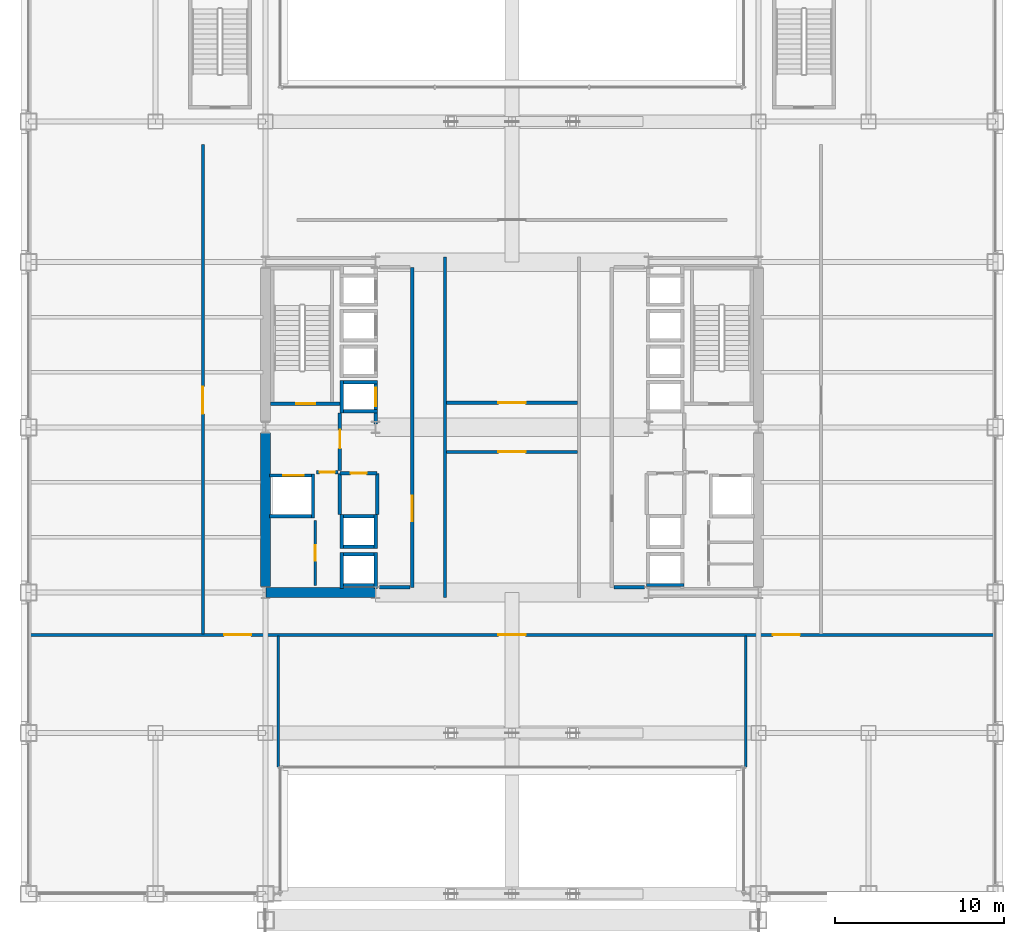
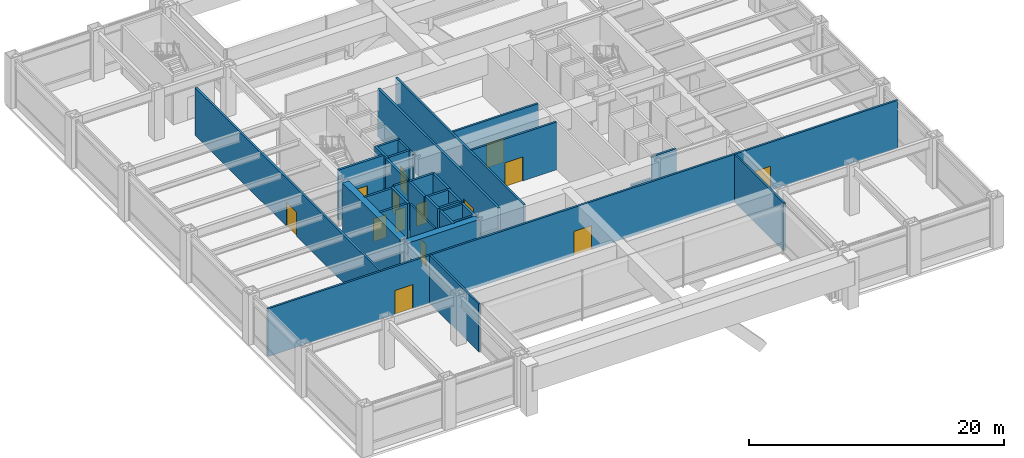
# One storey, part 33 of 37: 35 walls, 14 doors, 14 openings.
"""IFC4 building model written with IfcOpenShell, lengths in metres."""

from ifc_helpers import new_model, si_unit, direction, frame, frame_2d, origin, place, context, subcontext, project, spatial, rectangle, extrude, material, layer, layer_set, type_object, element, fill, save


model = new_model("IFC4")

# Units and contexts
model_context = context("Model", 3, precision=1e-05, world=origin(), true_north=direction((0.0, 1.0)))
body_context = subcontext(model_context, "Body", "Model", "MODEL_VIEW")
ifc_project = project(units=[si_unit("LENGTHUNIT", "METRE"), si_unit("AREAUNIT", "SQUARE_METRE"), si_unit("VOLUMEUNIT", "CUBIC_METRE"), si_unit("PLANEANGLEUNIT", "RADIAN"), si_unit("MASSUNIT", "GRAM", prefix="KILO")], contexts=[model_context])

# Site, building, storey
site_placement = place(None, origin())
site = spatial("IfcSite", under=ifc_project, at=site_placement, CompositionType="ELEMENT")
building_placement = place(site_placement, origin())
building = spatial("IfcBuilding", under=site, at=building_placement, Name="Brelmoor Portico Tower", CompositionType="ELEMENT")
storey_placement = place(building_placement, frame((0.0, 0.0, 14.39990234375)))
storey = spatial("IfcBuildingStorey", under=building, at=storey_placement, Name="L03", CompositionType="ELEMENT", Elevation=14.39990234375)

# Walls
ifc_material_1 = material(Name="Concrete C60", Category="concrete")
ifc_layer_1 = layer(ifc_material_1, 0.60009765625)
ifc_layer_set_1 = layer_set([ifc_layer_1], Name="Concrete C60")
wall_type_1 = type_object("IfcWallType", Name="WL-CORE-600", PredefinedType="SHEAR", material=ifc_layer_set_1)
wall_1_placement = place(storey_placement, frame((-14.530029296875, -9.75, -0.219970703125), z_axis=(0.0, 0.0, 1.0), x_axis=(1.0, 0.0, 0.0)))
element("IfcWall", 1, at=wall_1_placement, inside=storey, type_object=wall_type_1, Name="L03 WC South Shear Wall", PredefinedType="SHEAR", context=body_context, shape_type="SweptSolid", body=[
    extrude(rectangle(XDim=6.4599609375, YDim=0.60009765625, at=frame_2d((3.22998046875, 0.0))), origin(), (0.0, 0.0, 1.0), 4.800048828125),
])
wall_2_placement = place(storey_placement, frame((-14.550048828125, -9.39990234375, -0.219970703125), z_axis=(0.0, 0.0, 1.0), x_axis=(0.0, 1.0, 0.0)))
element("IfcWall", 2, at=wall_2_placement, inside=storey, type_object=wall_type_1, Name="L03 WC Outer South Shear Wall", PredefinedType="SHEAR", context=body_context, shape_type="SweptSolid", body=[
    extrude(rectangle(XDim=9.0498046875, YDim=0.60009765625, at=frame_2d((4.52490234375, 0.0))), origin(), (0.0, 0.0, 1.0), 4.800048828125),
])

# Wall, opening, door
ifc_material_2 = material(Name="Twin-Frame Acoustic Partition", Category="gypsum")
ifc_layer_2 = layer(ifc_material_2, 0.159912109375)
ifc_layer_set_2 = layer_set([ifc_layer_2], Name="Twin-Frame Acoustic Partition")
wall_type_2 = type_object("IfcWallType", Name="WL-PART-160", PredefinedType="PARTITIONING", material=ifc_layer_set_2)
wall_3_placement = place(storey_placement, frame((-11.6201171875, -9.35009765625, 0.0), z_axis=(0.0, 0.0, 1.0), x_axis=(0.0, 1.0, 0.0)))
wall_3 = element("IfcWall", 3, at=wall_3_placement, inside=storey, type_object=wall_type_2, Name="L03 W Core Service Front Wall", PredefinedType="PARTITIONING", context=body_context, shape_type="SweptSolid", body=[
    extrude(rectangle(XDim=3.85009765625, YDim=0.159912109375, at=frame_2d((1.925048828125, 0.0))), origin(), (0.0, 0.0, 1.0), 4.580078125),
])
opening_1_placement = place(wall_3_placement, frame((1.47509765625, 0.0, 0.0)))
opening_1 = element("IfcOpeningElement", 4, at=opening_1_placement, cuts=wall_3, Name="Opening D-IN1", PredefinedType="OPENING", context=body_context, shape_type="SweptSolid", body=[
    extrude(rectangle(XDim=0.89990234375, YDim=2.14990234375, at=frame_2d((0.449951171875, 1.074951171875))), frame((0.0, 0.08984375, 0.0), z_axis=(0.0, -1.0, 0.0), x_axis=(1.0, 0.0, 0.0)), (0.0, 0.0, 1.0), 0.179931640625),
])
ifc_material_3 = material(Name="Lacquered Timber Suite Door", Category="wood")
door_type_1 = type_object("IfcDoorType", Name="DR-INT-900", OperationType="NOTDEFINED", PredefinedType="DOOR", material=ifc_material_3)
door_1_placement = place(opening_1_placement, origin())
door_1 = element("IfcDoor", 5, at=door_1_placement, inside=storey, type_object=door_type_1, Name="D-0179 L03 W Accessible WC Door", OperationType="SINGLE_SWING_RIGHT", OverallHeight=2.14990234375, OverallWidth=0.89990234375, PredefinedType="DOOR", context=body_context, shape_type="SweptSolid", body=[
    extrude(rectangle(XDim=0.89990234375, YDim=2.14990234375, at=frame_2d((0.449951171875, 1.074951171875))), frame((0.0, 0.02490234375, 0.0), z_axis=(0.0, -1.0, 0.0), x_axis=(1.0, 0.0, 0.0)), (0.0, 0.0, 1.0), 0.050048828125),
])
fill(opening_1, door_1)

# Walls
for number, where, z_axis, x_axis, name in (
    (6, (-13.800048828125, -20.050048828125, 0.0), (0.0, 0.0, 1.0), (0.0, 1.0, 0.0), "L03 South Bridge Divider 1"),
    (7, (13.800048828125, -20.050048828125, 0.0), (0.0, 0.0, 1.0), (0.0, 1.0, 0.0), "L03 South Bridge Divider 2"),
):
    element("IfcWall", number, at=place(storey_placement, frame(where, z_axis=z_axis, x_axis=x_axis)), inside=storey, type_object=wall_type_2, Name=name, PredefinedType="PARTITIONING", context=body_context, shape_type="SweptSolid", body=[
        extrude(rectangle(XDim=7.72998046875, YDim=0.159912109375, at=frame_2d((3.864990234375, 0.0))), origin(), (0.0, 0.0, 1.0), 4.580078125),
    ])
ifc_material_4 = material(Name="Acoustic Corridor Fire Partition", Category="gypsum")
ifc_layer_3 = layer(ifc_material_4, 0.179931640625)
ifc_layer_set_3 = layer_set([ifc_layer_3], Name="Acoustic Corridor Fire Partition")
wall_type_3 = type_object("IfcWallType", Name="WL-PART-180", PredefinedType="PARTITIONING", material=ifc_layer_set_3)
wall_4_placement = place(storey_placement, frame((-3.949951171875, -10.050048828125, 0.0), z_axis=(0.0, 0.0, 1.0), x_axis=(0.0, 1.0, 0.0)))
element("IfcWall", 8, at=wall_4_placement, inside=storey, type_object=wall_type_3, Name="L03 Central Hall West Wall", PredefinedType="PARTITIONING", context=body_context, shape_type="SweptSolid", body=[
    extrude(rectangle(XDim=20.10009765625, YDim=0.179931640625, at=frame_2d((10.050048828125, 0.0))), origin(), (0.0, 0.0, 1.0), 4.580078125),
])

# Wall, opening, door
wall_5_placement = place(storey_placement, frame((-3.8798828125, 1.449951171875, 0.0), z_axis=(0.0, 0.0, 1.0), x_axis=(1.0, 0.0, 0.0)))
wall_5 = element("IfcWall", 9, at=wall_5_placement, inside=storey, type_object=wall_type_3, Name="L03 Bridge Auditorium Wall", PredefinedType="PARTITIONING", context=body_context, shape_type="SweptSolid", body=[
    extrude(rectangle(XDim=7.759765625, YDim=0.179931640625, at=frame_2d((3.8798828125, 0.0))), origin(), (0.0, 0.0, 1.0), 4.580078125),
])
opening_2_placement = place(wall_5_placement, frame((3.080078125, 0.0, 0.0)))
opening_2 = element("IfcOpeningElement", 10, at=opening_2_placement, cuts=wall_5, Name="Opening D-PB1", PredefinedType="OPENING", context=body_context, shape_type="SweptSolid", body=[
    extrude(rectangle(XDim=1.60009765625, YDim=2.300048828125, at=frame_2d((0.800048828125, 1.14990234375))), frame((0.0, 0.099853515625, 0.0), z_axis=(0.0, -1.0, 0.0), x_axis=(1.0, 0.0, 0.0)), (0.0, 0.0, 1.0), 0.199951171875),
])
ifc_material_5 = material(Name="Double-Leaf Anodised Aluminium Hall Door", Category="aluminium")
door_type_2 = type_object("IfcDoorType", Name="DR-PUBLIC-1600", OperationType="NOTDEFINED", PredefinedType="DOOR", material=ifc_material_5)
door_2_placement = place(opening_2_placement, origin())
door_2 = element("IfcDoor", 11, at=door_2_placement, inside=storey, type_object=door_type_2, Name="D-0166 L03 Bridge Lecture Hall Door", OperationType="DOUBLE_DOOR_SINGLE_SWING", OverallHeight=2.300048828125, OverallWidth=1.60009765625, PredefinedType="DOOR", context=body_context, shape_type="SweptSolid", body=[
    extrude(rectangle(XDim=1.60009765625, YDim=2.300048828125, at=frame_2d((0.800048828125, 1.14990234375))), frame((0.0, 0.02490234375, 0.0), z_axis=(0.0, -1.0, 0.0), x_axis=(1.0, 0.0, 0.0)), (0.0, 0.0, 1.0), 0.050048828125),
])
fill(opening_2, door_2)

wall_6_placement = place(storey_placement, frame((-3.8798828125, -1.449951171875, 0.0), z_axis=(0.0, 0.0, 1.0), x_axis=(1.0, 0.0, 0.0)))
wall_6 = element("IfcWall", 12, at=wall_6_placement, inside=storey, type_object=wall_type_3, Name="L03 Bridge Boardroom Wall", PredefinedType="PARTITIONING", context=body_context, shape_type="SweptSolid", body=[
    extrude(rectangle(XDim=7.759765625, YDim=0.179931640625, at=frame_2d((3.8798828125, 0.0))), origin(), (0.0, 0.0, 1.0), 4.580078125),
])
opening_3_placement = place(wall_6_placement, frame((3.080078125, 0.0, 0.0)))
opening_3 = element("IfcOpeningElement", 13, at=opening_3_placement, cuts=wall_6, Name="Opening D-PB1", PredefinedType="OPENING", context=body_context, shape_type="SweptSolid", body=[
    extrude(rectangle(XDim=1.60009765625, YDim=2.300048828125, at=frame_2d((0.800048828125, 1.14990234375))), frame((0.0, 0.099853515625, 0.0), z_axis=(0.0, -1.0, 0.0), x_axis=(1.0, 0.0, 0.0)), (0.0, 0.0, 1.0), 0.199951171875),
])
door_3_placement = place(opening_3_placement, origin())
door_3 = element("IfcDoor", 14, at=door_3_placement, inside=storey, type_object=door_type_2, Name="D-0167 L03 Bridge Executive Office Door", OperationType="DOUBLE_DOOR_SINGLE_SWING", OverallHeight=2.300048828125, OverallWidth=1.60009765625, PredefinedType="DOOR", context=body_context, shape_type="SweptSolid", body=[
    extrude(rectangle(XDim=1.60009765625, YDim=2.300048828125, at=frame_2d((0.800048828125, 1.14990234375))), frame((0.0, 0.02490234375, 0.0), z_axis=(0.0, -1.0, 0.0), x_axis=(1.0, 0.0, 0.0)), (0.0, 0.0, 1.0), 0.050048828125),
])
fill(opening_3, door_3)

# Wall, openings, doors
wall_7_placement = place(storey_placement, frame((-28.52001953125, -12.25, 0.0), z_axis=(0.0, 0.0, 1.0), x_axis=(1.0, 0.0, 0.0)))
wall_7 = element("IfcWall", 15, at=wall_7_placement, inside=storey, type_object=wall_type_3, Name="L03 South Bridge Promenade Wall", PredefinedType="PARTITIONING", context=body_context, shape_type="SweptSolid", body=[
    extrude(rectangle(XDim=57.0400390625, YDim=0.179931640625, at=frame_2d((28.52001953125, 0.0))), origin(), (0.0, 0.0, 1.0), 4.580078125),
])
opening_4_placement = place(wall_7_placement, frame((11.52001953125, 0.0, 0.0)))
opening_4 = element("IfcOpeningElement", 16, at=opening_4_placement, cuts=wall_7, Name="Opening D-PB1", PredefinedType="OPENING", context=body_context, shape_type="SweptSolid", body=[
    extrude(rectangle(XDim=1.60009765625, YDim=2.300048828125, at=frame_2d((0.800048828125, 1.14990234375))), frame((0.0, 0.099853515625, 0.0), z_axis=(0.0, -1.0, 0.0), x_axis=(1.0, 0.0, 0.0)), (0.0, 0.0, 1.0), 0.199951171875),
])
opening_5_placement = place(wall_7_placement, frame((27.719970703125, 0.0, 0.0)))
opening_5 = element("IfcOpeningElement", 17, at=opening_5_placement, cuts=wall_7, Name="Opening D-PB1", PredefinedType="OPENING", context=body_context, shape_type="SweptSolid", body=[
    extrude(rectangle(XDim=1.60009765625, YDim=2.300048828125, at=frame_2d((0.800048828125, 1.14990234375))), frame((0.0, 0.099853515625, 0.0), z_axis=(0.0, -1.0, 0.0), x_axis=(1.0, 0.0, 0.0)), (0.0, 0.0, 1.0), 0.199951171875),
])
opening_6_placement = place(wall_7_placement, frame((43.919921875, 0.0, 0.0)))
opening_6 = element("IfcOpeningElement", 18, at=opening_6_placement, cuts=wall_7, Name="Opening D-PB1", PredefinedType="OPENING", context=body_context, shape_type="SweptSolid", body=[
    extrude(rectangle(XDim=1.60009765625, YDim=2.300048828125, at=frame_2d((0.800048828125, 1.14990234375))), frame((0.0, 0.099853515625, 0.0), z_axis=(0.0, -1.0, 0.0), x_axis=(1.0, 0.0, 0.0)), (0.0, 0.0, 1.0), 0.199951171875),
])
door_4_placement = place(opening_4_placement, origin())
door_4 = element("IfcDoor", 19, at=door_4_placement, inside=storey, type_object=door_type_2, Name="D-0169 L03 Collaborative Design Office Door", OperationType="DOUBLE_DOOR_SINGLE_SWING", OverallHeight=2.300048828125, OverallWidth=1.60009765625, PredefinedType="DOOR", context=body_context, shape_type="SweptSolid", body=[
    extrude(rectangle(XDim=1.60009765625, YDim=2.300048828125, at=frame_2d((0.800048828125, 1.14990234375))), frame((0.0, 0.02490234375, 0.0), z_axis=(0.0, -1.0, 0.0), x_axis=(1.0, 0.0, 0.0)), (0.0, 0.0, 1.0), 0.050048828125),
])
fill(opening_4, door_4)
door_5_placement = place(opening_5_placement, origin())
door_5 = element("IfcDoor", 20, at=door_5_placement, inside=storey, type_object=door_type_2, Name="D-0170 L03 Technical Archive Library Door", OperationType="DOUBLE_DOOR_SINGLE_SWING", OverallHeight=2.300048828125, OverallWidth=1.60009765625, PredefinedType="DOOR", context=body_context, shape_type="SweptSolid", body=[
    extrude(rectangle(XDim=1.60009765625, YDim=2.300048828125, at=frame_2d((0.800048828125, 1.14990234375))), frame((0.0, 0.02490234375, 0.0), z_axis=(0.0, -1.0, 0.0), x_axis=(1.0, 0.0, 0.0)), (0.0, 0.0, 1.0), 0.050048828125),
])
fill(opening_5, door_5)
door_6_placement = place(opening_6_placement, origin())
door_6 = element("IfcDoor", 21, at=door_6_placement, inside=storey, type_object=door_type_2, Name="D-0171 L03 Project Research Studio Door", OperationType="DOUBLE_DOOR_SINGLE_SWING", OverallHeight=2.300048828125, OverallWidth=1.60009765625, PredefinedType="DOOR", context=body_context, shape_type="SweptSolid", body=[
    extrude(rectangle(XDim=1.60009765625, YDim=2.300048828125, at=frame_2d((0.800048828125, 1.14990234375))), frame((0.0, 0.02490234375, 0.0), z_axis=(0.0, -1.0, 0.0), x_axis=(1.0, 0.0, 0.0)), (0.0, 0.0, 1.0), 0.050048828125),
])
fill(opening_6, door_6)

# Wall, opening, door
wall_8_placement = place(storey_placement, frame((-18.25, -12.199951171875, 0.0), z_axis=(0.0, 0.0, 1.0), x_axis=(0.0, 1.0, 0.0)))
wall_8 = element("IfcWall", 22, at=wall_8_placement, inside=storey, type_object=wall_type_3, Name="L03 W Bridge Wing Wall", PredefinedType="PARTITIONING", context=body_context, shape_type="SweptSolid", body=[
    extrude(rectangle(XDim=28.89990234375, YDim=0.179931640625, at=frame_2d((14.449951171875, 0.0))), origin(), (0.0, 0.0, 1.0), 4.580078125),
])
opening_7_placement = place(wall_8_placement, frame((13.0, 0.0, 0.0)))
opening_7 = element("IfcOpeningElement", 23, at=opening_7_placement, cuts=wall_8, Name="Opening D-PB1", PredefinedType="OPENING", context=body_context, shape_type="SweptSolid", body=[
    extrude(rectangle(XDim=1.60009765625, YDim=2.300048828125, at=frame_2d((0.800048828125, 1.14990234375))), frame((0.0, 0.099853515625, 0.0), z_axis=(0.0, -1.0, 0.0), x_axis=(1.0, 0.0, 0.0)), (0.0, 0.0, 1.0), 0.199951171875),
])
door_7_placement = place(opening_7_placement, origin())
door_7 = element("IfcDoor", 24, at=door_7_placement, inside=storey, type_object=door_type_2, Name="D-0173 L03 W Engineering Studio Door", OperationType="DOUBLE_DOOR_SINGLE_SWING", OverallHeight=2.300048828125, OverallWidth=1.60009765625, PredefinedType="DOOR", context=body_context, shape_type="SweptSolid", body=[
    extrude(rectangle(XDim=1.60009765625, YDim=2.300048828125, at=frame_2d((0.800048828125, 1.14990234375))), frame((0.0, 0.02490234375, 0.0), z_axis=(0.0, -1.0, 0.0), x_axis=(1.0, 0.0, 0.0)), (0.0, 0.0, 1.0), 0.050048828125),
])
fill(opening_7, door_7)

ifc_material_6 = material(Name="Double-Stud Gypsum Fire Partition", Category="gypsum")
ifc_layer_4 = layer(ifc_material_6, 0.199951171875)
ifc_layer_set_4 = layer_set([ifc_layer_4], Name="Double-Stud Gypsum Fire Partition")
wall_type_4 = type_object("IfcWallType", Name="WL-PART-200", PredefinedType="PARTITIONING", material=ifc_layer_set_4)
wall_9_placement = place(storey_placement, frame((-5.89990234375, -9.449951171875, 0.0), z_axis=(0.0, 0.0, 1.0), x_axis=(0.0, 1.0, 0.0)))
wall_9 = element("IfcWall", 25, at=wall_9_placement, inside=storey, type_object=wall_type_4, Name="L03 W Core Lobby Compartment Wall", PredefinedType="PARTITIONING", context=body_context, shape_type="SweptSolid", body=[
    extrude(rectangle(XDim=18.89990234375, YDim=0.199951171875, at=frame_2d((9.449951171875, 0.0))), origin(), (0.0, 0.0, 1.0), 4.580078125),
])
opening_8_placement = place(wall_9_placement, frame((3.89990234375, 0.0, 0.0)))
opening_8 = element("IfcOpeningElement", 26, at=opening_8_placement, cuts=wall_9, Name="Opening D-LB1", PredefinedType="OPENING", context=body_context, shape_type="SweptSolid", body=[
    extrude(rectangle(XDim=1.5, YDim=2.199951171875, at=frame_2d((0.75, 1.10009765625))), frame((0.0, 0.10986328125, 0.0), z_axis=(0.0, -1.0, 0.0), x_axis=(1.0, 0.0, 0.0)), (0.0, 0.0, 1.0), 0.219970703125),
])
ifc_material_7 = material(Name="Double-Leaf Glazed Steel Fire Door", Category="steel")
door_type_3 = type_object("IfcDoorType", Name="DR-LOBBY-1500", OperationType="NOTDEFINED", PredefinedType="DOOR", material=ifc_material_7)
door_8_placement = place(opening_8_placement, origin())
door_8 = element("IfcDoor", 27, at=door_8_placement, inside=storey, type_object=door_type_3, Name="D-0185 L03 W Lift Lobby Main Door", OperationType="DOUBLE_DOOR_SINGLE_SWING", OverallHeight=2.199951171875, OverallWidth=1.5, PredefinedType="DOOR", context=body_context, shape_type="SweptSolid", body=[
    extrude(rectangle(XDim=1.5, YDim=2.199951171875, at=frame_2d((0.75, 1.10009765625))), frame((0.0, 0.02490234375, 0.0), z_axis=(0.0, -1.0, 0.0), x_axis=(1.0, 0.0, 0.0)), (0.0, 0.0, 1.0), 0.050048828125),
])
fill(opening_8, door_8)

# Wall
wall_10_placement = place(storey_placement, frame((-6.02001953125, -9.449951171875, 0.0), z_axis=(0.0, 0.0, 1.0), x_axis=(-1.0, 0.0, 0.0)))
element("IfcWall", 28, at=wall_10_placement, inside=storey, type_object=wall_type_4, Name="L03 W Lift Lobby South End Wall", PredefinedType="PARTITIONING", context=body_context, shape_type="SweptSolid", body=[
    extrude(rectangle(XDim=1.800048828125, YDim=0.199951171875, at=frame_2d((0.89990234375, 0.0))), origin(), (0.0, 0.0, 1.0), 2.630126953125),
])

# Wall, opening, door
wall_11_placement = place(storey_placement, frame((-10.159912109375, -2.550048828125, 0.0), z_axis=(0.0, 0.0, 1.0), x_axis=(0.0, 1.0, 0.0)))
wall_11 = element("IfcWall", 29, at=wall_11_placement, inside=storey, type_object=wall_type_4, Name="L03 W Firefighting Lobby Wall", PredefinedType="PARTITIONING", context=body_context, shape_type="SweptSolid", body=[
    extrude(rectangle(XDim=3.400146484375, YDim=0.199951171875, at=frame_2d((1.7001953125, 0.0))), origin(), (0.0, 0.0, 1.0), 4.580078125),
])
opening_9_placement = place(wall_11_placement, frame((1.300048828125, 0.0, 0.0)))
opening_9 = element("IfcOpeningElement", 30, at=opening_9_placement, cuts=wall_11, Name="Opening D-FR1", PredefinedType="OPENING", context=body_context, shape_type="SweptSolid", body=[
    extrude(rectangle(XDim=1.10009765625, YDim=2.14990234375, at=frame_2d((0.550048828125, 1.074951171875))), frame((0.0, 0.10986328125, 0.0), z_axis=(0.0, -1.0, 0.0), x_axis=(1.0, 0.0, 0.0)), (0.0, 0.0, 1.0), 0.219970703125),
])
ifc_material_8 = material(Name="Painted Galvanised Steel Fire Door", Category="steel")
door_type_4 = type_object("IfcDoorType", Name="DR-FIRE-1100", OperationType="NOTDEFINED", PredefinedType="DOOR", material=ifc_material_8)
door_9_placement = place(opening_9_placement, origin())
door_9 = element("IfcDoor", 31, at=door_9_placement, inside=storey, type_object=door_type_4, Name="D-0183 L03 W Firefighting Lobby Door", OperationType="SINGLE_SWING_LEFT", OverallHeight=2.14990234375, OverallWidth=1.10009765625, PredefinedType="DOOR", context=body_context, shape_type="SweptSolid", body=[
    extrude(rectangle(XDim=1.10009765625, YDim=2.14990234375, at=frame_2d((0.550048828125, 1.074951171875))), frame((0.0, 0.02490234375, 0.0), z_axis=(0.0, -1.0, 0.0), x_axis=(1.0, 0.0, 0.0)), (0.0, 0.0, 1.0), 0.050048828125),
])
fill(opening_9, door_9)

wall_12_placement = place(storey_placement, frame((-10.280029296875, -2.64990234375, 0.0), z_axis=(0.0, 0.0, 1.0), x_axis=(-1.0, 0.0, 0.0)))
wall_12 = element("IfcWall", 32, at=wall_12_placement, inside=storey, type_object=wall_type_4, Name="L03 W Firefighting Lobby South Wall", PredefinedType="PARTITIONING", context=body_context, shape_type="SweptSolid", body=[
    extrude(rectangle(XDim=1.27001953125, YDim=0.199951171875, at=frame_2d((0.635009765625, 0.0))), origin(), (0.0, 0.0, 1.0), 4.580078125),
])
opening_10_placement = place(wall_12_placement, frame((0.18505859375, 0.0, 0.0)))
opening_10 = element("IfcOpeningElement", 33, at=opening_10_placement, cuts=wall_12, Name="Opening D-IN1", PredefinedType="OPENING", context=body_context, shape_type="SweptSolid", body=[
    extrude(rectangle(XDim=0.89990234375, YDim=2.14990234375, at=frame_2d((0.449951171875, 1.074951171875))), frame((0.0, 0.10986328125, 0.0), z_axis=(0.0, -1.0, 0.0), x_axis=(1.0, 0.0, 0.0)), (0.0, 0.0, 1.0), 0.219970703125),
])
door_10_placement = place(opening_10_placement, origin())
door_10 = element("IfcDoor", 34, at=door_10_placement, inside=storey, type_object=door_type_1, Name="D-0178 L03 W Core Service Vestibule Door", OperationType="SINGLE_SWING_RIGHT", OverallHeight=2.14990234375, OverallWidth=0.89990234375, PredefinedType="DOOR", context=body_context, shape_type="SweptSolid", body=[
    extrude(rectangle(XDim=0.89990234375, YDim=2.14990234375, at=frame_2d((0.449951171875, 1.074951171875))), frame((0.0, 0.02490234375, 0.0), z_axis=(0.0, -1.0, 0.0), x_axis=(1.0, 0.0, 0.0)), (0.0, 0.0, 1.0), 0.050048828125),
])
fill(opening_10, door_10)

wall_13_placement = place(storey_placement, frame((-7.9599609375, -2.719970703125, 0.0), z_axis=(0.0, 0.0, 1.0), x_axis=(-1.0, 0.0, 0.0)))
wall_13 = element("IfcWall", 35, at=wall_13_placement, inside=storey, type_object=wall_type_4, Name="L03 W Electrical Switchgear Closet Wall", PredefinedType="PARTITIONING", context=body_context, shape_type="SweptSolid", body=[
    extrude(rectangle(XDim=2.199951171875, YDim=0.199951171875, at=frame_2d((1.10009765625, 0.0))), origin(), (0.0, 0.0, 1.0), 4.580078125),
])
opening_11_placement = place(wall_13_placement, frame((0.6201171875, 0.0, 0.0)))
opening_11 = element("IfcOpeningElement", 36, at=opening_11_placement, cuts=wall_13, Name="Opening D-FR4", PredefinedType="OPENING", context=body_context, shape_type="SweptSolid", body=[
    extrude(rectangle(XDim=0.949951171875, YDim=2.10009765625, at=frame_2d((0.47509765625, 1.050048828125))), frame((0.0, 0.10986328125, 0.0), z_axis=(0.0, -1.0, 0.0), x_axis=(1.0, 0.0, 0.0)), (0.0, 0.0, 1.0), 0.219970703125),
])
ifc_material_9 = material(Name="Painted Galvanised Steel Riser Door", Category="steel")
door_type_5 = type_object("IfcDoorType", Name="DR-FIRE-950", OperationType="NOTDEFINED", PredefinedType="DOOR", material=ifc_material_9)
door_11_placement = place(opening_11_placement, origin())
door_11 = element("IfcDoor", 37, at=door_11_placement, inside=storey, type_object=door_type_5, Name="D-0181 L03 W Electrical Switchgear Closet Door", OperationType="SINGLE_SWING_LEFT", OverallHeight=2.10009765625, OverallWidth=0.949951171875, PredefinedType="DOOR", context=body_context, shape_type="SweptSolid", body=[
    extrude(rectangle(XDim=0.949951171875, YDim=2.10009765625, at=frame_2d((0.47509765625, 1.050048828125))), frame((0.0, 0.02490234375, 0.0), z_axis=(0.0, -1.0, 0.0), x_axis=(1.0, 0.0, 0.0)), (0.0, 0.0, 1.0), 0.050048828125),
])
fill(opening_11, door_11)

# Walls
for number, where, z_axis, x_axis, name in (
    (38, (-7.9599609375, -5.159912109375, 0.0), (0.0, 0.0, 1.0), (0.0, 1.0, 0.0), "L03 W Electrical Switchgear Closet Inner Wall"),
    (39, (-10.159912109375, -5.159912109375, 0.0), (0.0, 0.0, 1.0), (0.0, 1.0, 0.0), "L03 W Electrical Switchgear Closet Outer Wall"),
):
    element("IfcWall", number, at=place(storey_placement, frame(where, z_axis=z_axis, x_axis=x_axis)), inside=storey, type_object=wall_type_4, Name=name, PredefinedType="PARTITIONING", context=body_context, shape_type="SweptSolid", body=[
        extrude(rectangle(XDim=2.43994140625, YDim=0.199951171875, at=frame_2d((1.219970703125, 0.0))), origin(), (0.0, 0.0, 1.0), 4.580078125),
    ])
wall_14_placement = place(storey_placement, frame((6.02001953125, -9.449951171875, 0.0), z_axis=(0.0, 0.0, 1.0), x_axis=(1.0, 0.0, 0.0)))
element("IfcWall", 40, at=wall_14_placement, inside=storey, type_object=wall_type_4, Name="L03 E Lift Lobby South End Wall", PredefinedType="PARTITIONING", context=body_context, shape_type="SweptSolid", body=[
    extrude(rectangle(XDim=1.800048828125, YDim=0.199951171875, at=frame_2d((0.89990234375, 0.0))), origin(), (0.0, 0.0, 1.0), 2.630126953125),
])

# Wall, opening, door
ifc_material_10 = material(Name="Precast Concrete C40", Category="concrete")
ifc_layer_5 = layer(ifc_material_10, 0.18994140625)
ifc_layer_set_5 = layer_set([ifc_layer_5], Name="Precast Concrete C40")
wall_type_5 = type_object("IfcWallType", Name="WL-SHAFT-180", PredefinedType="SOLIDWALL", material=ifc_layer_set_5)
wall_15_placement = place(storey_placement, frame((-8.044921875, 0.2099609375, -0.219970703125), z_axis=(0.0, 0.0, 1.0), x_axis=(0.0, 1.0, 0.0)))
wall_15 = element("IfcWall", 41, at=wall_15_placement, inside=storey, type_object=wall_type_5, Name="L03 Lift PL1 Hoistway Front Wall", PredefinedType="SOLIDWALL", context=body_context, shape_type="SweptSolid", body=[
    extrude(rectangle(XDim=2.5400390625, YDim=0.18994140625, at=frame_2d((1.27001953125, 0.0))), origin(), (0.0, 0.0, 1.0), 4.800048828125),
])
opening_12_placement = place(wall_15_placement, frame((1.0400390625, 0.0, 0.219970703125)))
opening_12 = element("IfcOpeningElement", 42, at=opening_12_placement, cuts=wall_15, Name="Opening LD-01", PredefinedType="OPENING", context=body_context, shape_type="SweptSolid", body=[
    extrude(rectangle(XDim=1.10009765625, YDim=2.199951171875, at=frame_2d((0.550048828125, 1.10009765625))), frame((0.0, 0.10498046875, 0.0), z_axis=(0.0, -1.0, 0.0), x_axis=(1.0, 0.0, 0.0)), (0.0, 0.0, 1.0), 0.2099609375),
])
ifc_material_11 = material(Name="Brushed Stainless Steel Sliding Lift Door", Category="steel")
door_type_6 = type_object("IfcDoorType", Name="DR-LIFT-1100", OperationType="NOTDEFINED", PredefinedType="DOOR", material=ifc_material_11)
door_12_placement = place(opening_12_placement, origin())
door_12 = element("IfcDoor", 43, at=door_12_placement, inside=storey, type_object=door_type_6, Name="D-0192 L03 Lift PL1 Sliding Landing Door", OperationType="SLIDING_TO_LEFT", OverallHeight=2.199951171875, OverallWidth=1.10009765625, PredefinedType="DOOR", context=body_context, shape_type="SweptSolid", body=[
    extrude(rectangle(XDim=1.10009765625, YDim=2.199951171875, at=frame_2d((0.550048828125, 1.10009765625))), frame((0.0, 0.02490234375, 0.0), z_axis=(0.0, -1.0, 0.0), x_axis=(1.0, 0.0, 0.0)), (0.0, 0.0, 1.0), 0.050048828125),
])
fill(opening_12, door_12)

# Walls
wall_16_placement = place(storey_placement, frame((-10.054931640625, 0.85009765625, -0.219970703125), z_axis=(0.0, 0.0, 1.0), x_axis=(0.0, 1.0, 0.0)))
element("IfcWall", 44, at=wall_16_placement, inside=storey, type_object=wall_type_5, Name="L03 Lift PL1 Hoistway Back Wall", PredefinedType="SOLIDWALL", context=body_context, shape_type="SweptSolid", body=[
    extrude(rectangle(XDim=1.89990234375, YDim=0.18994140625, at=frame_2d((0.949951171875, 0.0))), origin(), (0.0, 0.0, 1.0), 4.800048828125),
])
for number, where, z_axis, x_axis, name in (
    (45, (-10.14990234375, 2.655029296875, -0.219970703125), (0.0, 0.0, 1.0), (1.0, 0.0, 0.0), "L03 Lift PL1 Hoistway North Wall"),
    (46, (-10.14990234375, 0.945068359375, -0.219970703125), (0.0, 0.0, 1.0), (1.0, 0.0, 0.0), "L03 Lift PL1 Hoistway South Wall"),
):
    element("IfcWall", number, at=place(storey_placement, frame(where, z_axis=z_axis, x_axis=x_axis)), inside=storey, type_object=wall_type_5, Name=name, PredefinedType="SOLIDWALL", context=body_context, shape_type="SweptSolid", body=[
        extrude(rectangle(XDim=2.199951171875, YDim=0.18994140625, at=frame_2d((1.10009765625, 0.0))), origin(), (0.0, 0.0, 1.0), 4.800048828125),
    ])
for number, where, z_axis, x_axis, name in (
    (47, (-8.044921875, -9.52001953125, -0.219970703125), (0.0, 0.0, 1.0), (0.0, 1.0, 0.0), "L03 Lift PH1 Hoistway Front Wall"),
    (48, (-10.054931640625, -9.52001953125, -0.219970703125), (0.0, 0.0, 1.0), (0.0, 1.0, 0.0), "L03 Lift PH1 Hoistway Back Wall"),
):
    element("IfcWall", number, at=place(storey_placement, frame(where, z_axis=z_axis, x_axis=x_axis)), inside=storey, type_object=wall_type_5, Name=name, PredefinedType="SOLIDWALL", context=body_context, shape_type="SweptSolid", body=[
        extrude(rectangle(XDim=2.1201171875, YDim=0.18994140625, at=frame_2d((1.06005859375, 0.0))), origin(), (0.0, 0.0, 1.0), 4.800048828125),
    ])
for number, where, z_axis, x_axis, name in (
    (49, (-10.14990234375, -7.4951171875, -0.219970703125), (0.0, 0.0, 1.0), (1.0, 0.0, 0.0), "L03 Lift PH1 Hoistway North Wall"),
    (50, (-10.14990234375, -9.304931640625, -0.219970703125), (0.0, 0.0, 1.0), (1.0, 0.0, 0.0), "L03 Lift PH1 Hoistway South Wall"),
):
    element("IfcWall", number, at=place(storey_placement, frame(where, z_axis=z_axis, x_axis=x_axis)), inside=storey, type_object=wall_type_5, Name=name, PredefinedType="SOLIDWALL", context=body_context, shape_type="SweptSolid", body=[
        extrude(rectangle(XDim=2.199951171875, YDim=0.18994140625, at=frame_2d((1.10009765625, 0.0))), origin(), (0.0, 0.0, 1.0), 4.800048828125),
    ])
for number, where, z_axis, x_axis, name in (
    (51, (-8.044921875, -7.14990234375, -0.219970703125), (0.0, 0.0, 1.0), (0.0, 1.0, 0.0), "L03 Lift PH2 Hoistway Front Wall"),
    (52, (-10.054931640625, -7.14990234375, -0.219970703125), (0.0, 0.0, 1.0), (0.0, 1.0, 0.0), "L03 Lift PH2 Hoistway Back Wall"),
):
    element("IfcWall", number, at=place(storey_placement, frame(where, z_axis=z_axis, x_axis=x_axis)), inside=storey, type_object=wall_type_5, Name=name, PredefinedType="SOLIDWALL", context=body_context, shape_type="SweptSolid", body=[
        extrude(rectangle(XDim=2.0, YDim=0.18994140625, at=frame_2d((1.0, 0.0))), origin(), (0.0, 0.0, 1.0), 4.800048828125),
    ])
for number, where, z_axis, x_axis, name in (
    (53, (-10.14990234375, -5.2451171875, -0.219970703125), (0.0, 0.0, 1.0), (1.0, 0.0, 0.0), "L03 Lift PH2 Hoistway North Wall"),
    (54, (-10.14990234375, -7.054931640625, -0.219970703125), (0.0, 0.0, 1.0), (1.0, 0.0, 0.0), "L03 Lift PH2 Hoistway South Wall"),
    (55, (7.949951171875, -9.304931640625, -0.219970703125), (0.0, 0.0, 1.0), (1.0, 0.0, 0.0), "L03 Lift PH3 Hoistway South Wall"),
):
    element("IfcWall", number, at=place(storey_placement, frame(where, z_axis=z_axis, x_axis=x_axis)), inside=storey, type_object=wall_type_5, Name=name, PredefinedType="SOLIDWALL", context=body_context, shape_type="SweptSolid", body=[
        extrude(rectangle(XDim=2.199951171875, YDim=0.18994140625, at=frame_2d((1.10009765625, 0.0))), origin(), (0.0, 0.0, 1.0), 4.800048828125),
    ])

# Wall, opening, door
wall_17_placement = place(storey_placement, frame((-14.330078125, -2.844970703125, -0.219970703125), z_axis=(0.0, 0.0, 1.0), x_axis=(1.0, 0.0, 0.0)))
wall_17 = element("IfcWall", 56, at=wall_17_placement, inside=storey, type_object=wall_type_5, Name="L03 Lift FF1 Hoistway Front Wall", PredefinedType="SOLIDWALL", context=body_context, shape_type="SweptSolid", body=[
    extrude(rectangle(XDim=2.68017578125, YDim=0.18994140625, at=frame_2d((1.340087890625, 0.0))), origin(), (0.0, 0.0, 1.0), 4.800048828125),
])
opening_13_placement = place(wall_17_placement, frame((0.830078125, 0.0, 0.219970703125)))
opening_13 = element("IfcOpeningElement", 57, at=opening_13_placement, cuts=wall_17, Name="Opening LD-02", PredefinedType="OPENING", context=body_context, shape_type="SweptSolid", body=[
    extrude(rectangle(XDim=1.199951171875, YDim=2.199951171875, at=frame_2d((0.60009765625, 1.10009765625))), frame((0.0, 0.10498046875, 0.0), z_axis=(0.0, -1.0, 0.0), x_axis=(1.0, 0.0, 0.0)), (0.0, 0.0, 1.0), 0.2099609375),
])
ifc_material_12 = material(Name="Brushed Stainless Steel Firefighting Lift Door", Category="steel")
door_type_7 = type_object("IfcDoorType", Name="DR-LIFT-1200", OperationType="NOTDEFINED", PredefinedType="DOOR", material=ifc_material_12)
door_13_placement = place(opening_13_placement, origin())
door_13 = element("IfcDoor", 58, at=door_13_placement, inside=storey, type_object=door_type_7, Name="D-0190 L03 Lift FF1 Sliding Landing Door", OperationType="SLIDING_TO_LEFT", OverallHeight=2.199951171875, OverallWidth=1.199951171875, PredefinedType="DOOR", context=body_context, shape_type="SweptSolid", body=[
    extrude(rectangle(XDim=1.199951171875, YDim=2.199951171875, at=frame_2d((0.60009765625, 1.10009765625))), frame((0.0, 0.02490234375, 0.0), z_axis=(0.0, -1.0, 0.0), x_axis=(1.0, 0.0, 0.0)), (0.0, 0.0, 1.0), 0.050048828125),
])
fill(opening_13, door_13)

# Walls
wall_18_placement = place(storey_placement, frame((-14.330078125, -5.2548828125, -0.219970703125), z_axis=(0.0, 0.0, 1.0), x_axis=(1.0, 0.0, 0.0)))
element("IfcWall", 59, at=wall_18_placement, inside=storey, type_object=wall_type_5, Name="L03 Firefighting Lift FF1 South Wall", PredefinedType="SOLIDWALL", context=body_context, shape_type="SweptSolid", body=[
    extrude(rectangle(XDim=2.68017578125, YDim=0.18994140625, at=frame_2d((1.340087890625, 0.0))), origin(), (0.0, 0.0, 1.0), 4.800048828125),
])
wall_19_placement = place(storey_placement, frame((-11.7451171875, -5.35009765625, -0.219970703125), z_axis=(0.0, 0.0, 1.0), x_axis=(0.0, 1.0, 0.0)))
element("IfcWall", 60, at=wall_19_placement, inside=storey, type_object=wall_type_5, Name="L03 Firefighting Lift FF1 Inner Wall", PredefinedType="SOLIDWALL", context=body_context, shape_type="SweptSolid", body=[
    extrude(rectangle(XDim=2.60009765625, YDim=0.18994140625, at=frame_2d((1.300048828125, 0.0))), origin(), (0.0, 0.0, 1.0), 4.800048828125),
])

# Wall, opening, door
ifc_material_13 = material(Name="Concrete C40", Category="concrete")
ifc_layer_6 = layer(ifc_material_13, 0.199951171875)
ifc_layer_set_6 = layer_set([ifc_layer_6], Name="Concrete C40")
wall_type_6 = type_object("IfcWallType", Name="WL-SHAFT-RC200", PredefinedType="SOLIDWALL", material=ifc_layer_set_6)
wall_20_placement = place(storey_placement, frame((-14.25, 1.39990234375, -0.219970703125), z_axis=(0.0, 0.0, 1.0), x_axis=(1.0, 0.0, 0.0)))
wall_20 = element("IfcWall", 61, at=wall_20_placement, inside=storey, type_object=wall_type_6, Name="L03 ST-W Structural Stair Wall S", PredefinedType="SOLIDWALL", context=body_context, shape_type="SweptSolid", body=[
    extrude(rectangle(XDim=4.10009765625, YDim=0.199951171875, at=frame_2d((2.050048828125, 0.0))), origin(), (0.0, 0.0, 1.0), 4.800048828125),
])
opening_14_placement = place(wall_20_placement, frame((1.5, 0.0, 0.219970703125)))
opening_14 = element("IfcOpeningElement", 62, at=opening_14_placement, cuts=wall_20, Name="Opening D-ST1", PredefinedType="OPENING", context=body_context, shape_type="SweptSolid", body=[
    extrude(rectangle(XDim=1.1201171875, YDim=2.179931640625, at=frame_2d((0.56005859375, 1.08984375))), frame((0.0, 0.10986328125, 0.0), z_axis=(0.0, -1.0, 0.0), x_axis=(1.0, 0.0, 0.0)), (0.0, 0.0, 1.0), 0.219970703125),
])
door_type_8 = type_object("IfcDoorType", Name="DR-STAIR-1100", OperationType="NOTDEFINED", PredefinedType="DOOR", material=ifc_material_8)
door_14_placement = place(opening_14_placement, origin())
door_14 = element("IfcDoor", 63, at=door_14_placement, inside=storey, type_object=door_type_8, Name="D-0189 L03 ST-W Protected Exit Stair Door", OperationType="SINGLE_SWING_LEFT", OverallHeight=2.179931640625, OverallWidth=1.1201171875, PredefinedType="DOOR", context=body_context, shape_type="SweptSolid", body=[
    extrude(rectangle(XDim=1.1201171875, YDim=2.179931640625, at=frame_2d((0.56005859375, 1.08984375))), frame((0.0, 0.02490234375, 0.0), z_axis=(0.0, -1.0, 0.0), x_axis=(1.0, 0.0, 0.0)), (0.0, 0.0, 1.0), 0.050048828125),
])
fill(opening_14, door_14)

save(model, "model.ifc")
